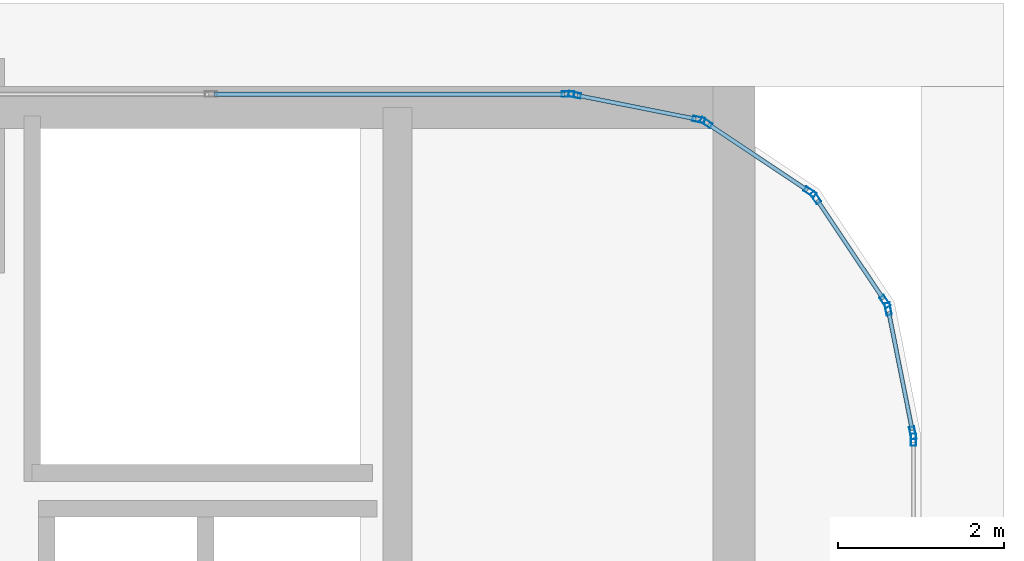
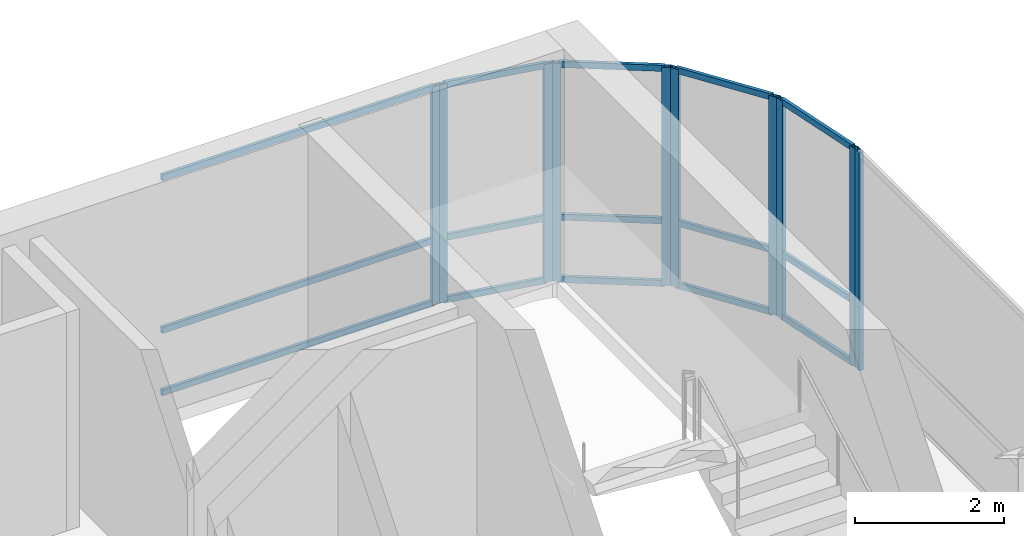
# One storey, part 26 of 35: 25 members, 6 elements without a shape of their own.
"""IFC4 building model written with IfcOpenShell, lengths in metres."""

from ifc_helpers import new_model, si_unit, direction, frame, origin, origin_2d, place, context, subcontext, project, spatial, hollow_rectangle, extrude, source, transform, mapped, material, layer, layer_set, material_profile, profile_set, type_object, type_shapes, element, aggregate, save


model = new_model("IFC4")

# Units and contexts
model_context = context("Model", 3, precision=1e-05, world=origin(), true_north=direction((0.0, 1.0)))
body_context = subcontext(model_context, "Body", "Model", "MODEL_VIEW")
ifc_project = project(units=[si_unit("LENGTHUNIT", "METRE"), si_unit("AREAUNIT", "SQUARE_METRE"), si_unit("VOLUMEUNIT", "CUBIC_METRE"), si_unit("PLANEANGLEUNIT", "RADIAN"), si_unit("MASSUNIT", "GRAM", prefix="KILO")], contexts=[model_context])

# Site, building, storey
site_placement = place(None, origin())
site = spatial("IfcSite", under=ifc_project, at=site_placement, CompositionType="ELEMENT")
building_placement = place(site_placement, origin())
building = spatial("IfcBuilding", under=site, at=building_placement, Name="Tolvann Quenvar Hotel", CompositionType="ELEMENT")
storey_placement = place(building_placement, frame((0.0, 0.0, 290.949951171875)))
storey = spatial("IfcBuildingStorey", under=building, at=storey_placement, Name="L77", CompositionType="ELEMENT", Elevation=290.949951171875)

# Curtain wall, member
ifc_material_1 = material(Name="Thermally broken anodised architectural aluminium 6063-T6 and laminated low-E glass", Category="aluminium")
ifc_layer = layer(ifc_material_1, 0.179931640625)
ifc_layer_set = layer_set([ifc_layer], Name="Thermally broken anodised architectural aluminium 6063-T6 and laminated low-E glass")
curtain_wall_type = type_object("IfcCurtainWallType", Name="CW_SYS_LANT_06", PredefinedType="USERDEFINED", material=ifc_layer_set)
curtain_wall_1_placement = place(storey_placement, origin())
curtain_wall_1 = element("IfcCurtainWall", 1, at=curtain_wall_1_placement, inside=storey, type_object=curtain_wall_type, Name="Curtain Wall CW-LANT-06 (CWR-L77-E09)", ObjectType="UNITISED CURTAIN WALL", PredefinedType="USERDEFINED")
ifc_material_2 = material(Name="Anodised architectural aluminium 6063-T6 framing", Category="aluminium")
ifc_material_profile_1 = material_profile(ifc_material_2, hollow_rectangle(XDim=0.06494140625, YDim=0.14990234375, WallThickness=0.00390625, at=origin_2d()), Name="150x65x4RHS")
ifc_profile_set_1 = profile_set([ifc_material_profile_1], Name="Anodised architectural aluminium 6063-T6 framing")
member_type_1 = type_object("IfcMemberType", Name="CW_MULL_150x65", PredefinedType="MULLION", material=ifc_profile_set_1)
shared_shape_1 = source(origin(), body_context, "Body", "SweptSolid", [
    extrude(hollow_rectangle(XDim=0.06494140625, YDim=0.14990234375, WallThickness=0.00390625, at=origin_2d()), origin(), (0.0, 0.0, 1.0), 3.580078125),
])
type_shapes(member_type_1, [shared_shape_1])
member_1_placement = place(storey_placement, frame((37.909912109375, 39.9501953125, 0.0), z_axis=(0.0, 0.0, 1.0), x_axis=(-1.0, 0.0, 0.0)))
member_1 = element("IfcMember", 2, at=member_1_placement, type_object=member_type_1, Name="CW-LANT-06 mullion 7", PredefinedType="MULLION", context=body_context, shape_type="MappedRepresentation", body=[
    mapped(shared_shape_1, transform((0.0, 0.0, 0.0), x_axis=(1.0, 0.0, 0.0), y_axis=(0.0, 1.0, 0.0), z_axis=(0.0, 0.0, 1.0), scale=1.0)),
])
aggregate(curtain_wall_1, [member_1])

# Curtain wall, members
curtain_wall_2_placement = place(storey_placement, origin())
curtain_wall_2 = element("IfcCurtainWall", 3, at=curtain_wall_2_placement, inside=storey, type_object=curtain_wall_type, Name="Curtain Wall CW-LANT-06 (CWR-L77-E10)", ObjectType="UNITISED CURTAIN WALL", PredefinedType="USERDEFINED")
member_2_placement = place(storey_placement, frame((37.902099609375, 40.03125, 0.0), z_axis=(0.0, 0.0, 1.0), x_axis=(-0.980790999222, -0.195061569369, 0.0)))
member_2 = element("IfcMember", 4, at=member_2_placement, type_object=member_type_1, Name="CW-LANT-06 mullion 1", PredefinedType="MULLION", context=body_context, shape_type="MappedRepresentation", body=[
    mapped(shared_shape_1, transform((0.0, 0.0, 0.0), x_axis=(1.0, 0.0, 0.0), y_axis=(0.0, 1.0, 0.0), z_axis=(0.0, 0.0, 1.0), scale=1.0)),
])
member_3_placement = place(storey_placement, frame((37.605224609375, 41.523681640625, 0.0), z_axis=(0.0, 0.0, 1.0), x_axis=(-0.980790999222, -0.195061569369, 0.0)))
member_3 = element("IfcMember", 5, at=member_3_placement, type_object=member_type_1, Name="CW-LANT-06 mullion 2", PredefinedType="MULLION", context=body_context, shape_type="MappedRepresentation", body=[
    mapped(shared_shape_1, transform((0.0, 0.0, 0.0), x_axis=(1.0, 0.0, 0.0), y_axis=(0.0, 1.0, 0.0), z_axis=(0.0, 0.0, 1.0), scale=1.0)),
])

curtain_wall_3_placement = place(storey_placement, origin())
curtain_wall_3 = element("IfcCurtainWall", 6, at=curtain_wall_3_placement, inside=storey, type_object=curtain_wall_type, Name="Curtain Wall CW-LANT-06 (CWR-L77-E11)", ObjectType="UNITISED CURTAIN WALL", PredefinedType="USERDEFINED")
member_4_placement = place(storey_placement, frame((37.568115234375, 41.61328125, 0.0), z_axis=(0.0, 0.0, 1.0), x_axis=(-0.831412452193, -0.555655769644, 0.0)))
member_4 = element("IfcMember", 7, at=member_4_placement, type_object=member_type_1, Name="CW-LANT-06 mullion 1", PredefinedType="MULLION", context=body_context, shape_type="MappedRepresentation", body=[
    mapped(shared_shape_1, transform((0.0, 0.0, 0.0), x_axis=(1.0, 0.0, 0.0), y_axis=(0.0, 1.0, 0.0), z_axis=(0.0, 0.0, 1.0), scale=1.0)),
])
member_5_placement = place(storey_placement, frame((36.732421875, 42.86376953125, 0.0), z_axis=(0.0, 0.0, 1.0), x_axis=(-0.831412452193, -0.555655769644, 0.0)))
member_5 = element("IfcMember", 8, at=member_5_placement, type_object=member_type_1, Name="CW-LANT-06 mullion 2", PredefinedType="MULLION", context=body_context, shape_type="MappedRepresentation", body=[
    mapped(shared_shape_1, transform((0.0, 0.0, 0.0), x_axis=(1.0, 0.0, 0.0), y_axis=(0.0, 1.0, 0.0), z_axis=(0.0, 0.0, 1.0), scale=1.0)),
])

curtain_wall_4_placement = place(storey_placement, origin())
curtain_wall_4 = element("IfcCurtainWall", 9, at=curtain_wall_4_placement, inside=storey, type_object=curtain_wall_type, Name="Curtain Wall CW-LANT-06 (CWR-L77-E12)", ObjectType="UNITISED CURTAIN WALL", PredefinedType="USERDEFINED")
member_6_placement = place(storey_placement, frame((36.663818359375, 42.932373046875, 0.0), z_axis=(0.0, 0.0, 1.0), x_axis=(-0.555655769644, -0.831412452193, 0.0)))
member_6 = element("IfcMember", 10, at=member_6_placement, type_object=member_type_1, Name="CW-LANT-06 mullion 1", PredefinedType="MULLION", context=body_context, shape_type="MappedRepresentation", body=[
    mapped(shared_shape_1, transform((0.0, 0.0, 0.0), x_axis=(1.0, 0.0, 0.0), y_axis=(0.0, 1.0, 0.0), z_axis=(0.0, 0.0, 1.0), scale=1.0)),
])
member_7_placement = place(storey_placement, frame((35.413330078125, 43.76806640625, 0.0), z_axis=(0.0, 0.0, 1.0), x_axis=(-0.555655769644, -0.831412452193, 0.0)))
member_7 = element("IfcMember", 11, at=member_7_placement, type_object=member_type_1, Name="CW-LANT-06 mullion 2", PredefinedType="MULLION", context=body_context, shape_type="MappedRepresentation", body=[
    mapped(shared_shape_1, transform((0.0, 0.0, 0.0), x_axis=(1.0, 0.0, 0.0), y_axis=(0.0, 1.0, 0.0), z_axis=(0.0, 0.0, 1.0), scale=1.0)),
])

curtain_wall_5_placement = place(storey_placement, origin())
curtain_wall_5 = element("IfcCurtainWall", 12, at=curtain_wall_5_placement, inside=storey, type_object=curtain_wall_type, Name="Curtain Wall CW-LANT-06 (CWR-L77-E13)", ObjectType="UNITISED CURTAIN WALL", PredefinedType="USERDEFINED")
member_8_placement = place(storey_placement, frame((35.32373046875, 43.80517578125, 0.0), z_axis=(0.0, 0.0, 1.0), x_axis=(-0.195061569369, -0.980790999222, 0.0)))
member_8 = element("IfcMember", 13, at=member_8_placement, type_object=member_type_1, Name="CW-LANT-06 mullion 1", PredefinedType="MULLION", context=body_context, shape_type="MappedRepresentation", body=[
    mapped(shared_shape_1, transform((0.0, 0.0, 0.0), x_axis=(1.0, 0.0, 0.0), y_axis=(0.0, 1.0, 0.0), z_axis=(0.0, 0.0, 1.0), scale=1.0)),
])
member_9_placement = place(storey_placement, frame((33.831298828125, 44.10205078125, 0.0), z_axis=(0.0, 0.0, 1.0), x_axis=(-0.195061569369, -0.980790999222, 0.0)))
member_9 = element("IfcMember", 14, at=member_9_placement, type_object=member_type_1, Name="CW-LANT-06 mullion 2", PredefinedType="MULLION", context=body_context, shape_type="MappedRepresentation", body=[
    mapped(shared_shape_1, transform((0.0, 0.0, 0.0), x_axis=(1.0, 0.0, 0.0), y_axis=(0.0, 1.0, 0.0), z_axis=(0.0, 0.0, 1.0), scale=1.0)),
])

# Curtain wall, member
curtain_wall_6_placement = place(storey_placement, origin())
curtain_wall_6 = element("IfcCurtainWall", 15, at=curtain_wall_6_placement, inside=storey, type_object=curtain_wall_type, Name="Curtain Wall CW-LANT-06 (CWR-L77-E14)", ObjectType="UNITISED CURTAIN WALL", PredefinedType="USERDEFINED")
member_10_placement = place(storey_placement, frame((33.750244140625, 44.110107421875, 0.0), z_axis=(0.0, 0.0, 1.0), x_axis=(0.0, -1.0, 0.0)))
member_10 = element("IfcMember", 16, at=member_10_placement, type_object=member_type_1, Name="CW-LANT-06 mullion 1", PredefinedType="MULLION", context=body_context, shape_type="MappedRepresentation", body=[
    mapped(shared_shape_1, transform((0.0, 0.0, 0.0), x_axis=(1.0, 0.0, 0.0), y_axis=(0.0, 1.0, 0.0), z_axis=(0.0, 0.0, 1.0), scale=1.0)),
])

# Member
ifc_material_profile_2 = material_profile(ifc_material_2, hollow_rectangle(XDim=0.050048828125, YDim=0.10009765625, WallThickness=0.0029296875, at=origin_2d()), Name="100x50x3RHS")
ifc_profile_set_2 = profile_set([ifc_material_profile_2], Name="Anodised architectural aluminium 6063-T6 framing")
member_type_2 = type_object("IfcMemberType", Name="CW_TRAN_100x50", PredefinedType="USERDEFINED", material=ifc_profile_set_2)
shared_shape_2 = source(origin(), body_context, "Body", "SweptSolid", [
    extrude(hollow_rectangle(XDim=0.050048828125, YDim=0.10009765625, WallThickness=0.0029296875, at=origin_2d()), origin(), (0.0, 0.0, 1.0), 1.439208984375),
])
member_11_placement = place(storey_placement, frame((37.550048828125, 41.64013671875, 0.025146484375), z_axis=(-0.555600315839, 0.831449510818, 0.0), x_axis=(-0.831449510818, -0.555600315839, 0.0)))
member_11 = element("IfcMember", 17, at=member_11_placement, type_object=member_type_2, Name="CW-LANT-06 transom 1.1", ObjectType="TRANSOM", PredefinedType="USERDEFINED", context=body_context, shape_type="MappedRepresentation", body=[
    mapped(shared_shape_2, transform((0.0, 0.0, 0.0), x_axis=(1.0, 0.0, 0.0), y_axis=(0.0, 1.0, 0.0), z_axis=(0.0, 0.0, 1.0), scale=1.0)),
])

member_12_placement = place(storey_placement, frame((37.550048828125, 41.64013671875, 1.050048828125), z_axis=(-0.555600315839, 0.831449510818, 0.0), x_axis=(-0.831449510818, -0.555600315839, 0.0)))
member_12 = element("IfcMember", 18, at=member_12_placement, type_object=member_type_2, Name="CW-LANT-06 transom 1.2", ObjectType="TRANSOM", PredefinedType="USERDEFINED", context=body_context, shape_type="MappedRepresentation", body=[
    mapped(shared_shape_2, transform((0.0, 0.0, 0.0), x_axis=(1.0, 0.0, 0.0), y_axis=(0.0, 1.0, 0.0), z_axis=(0.0, 0.0, 1.0), scale=1.0)),
])

member_13_placement = place(storey_placement, frame((37.550048828125, 41.64013671875, 3.554931640625), z_axis=(-0.555600315839, 0.831449510818, 0.0), x_axis=(-0.831449510818, -0.555600315839, 0.0)))
member_13 = element("IfcMember", 19, at=member_13_placement, type_object=member_type_2, Name="CW-LANT-06 transom 1.3", ObjectType="TRANSOM", PredefinedType="USERDEFINED", context=body_context, shape_type="MappedRepresentation", body=[
    mapped(shared_shape_2, transform((0.0, 0.0, 0.0), x_axis=(1.0, 0.0, 0.0), y_axis=(0.0, 1.0, 0.0), z_axis=(0.0, 0.0, 1.0), scale=1.0)),
])

aggregate(curtain_wall_3, [member_4, member_5, member_11, member_12, member_13])

member_14_placement = place(storey_placement, frame((36.63671875, 42.950439453125, 0.025146484375), z_axis=(-0.831449510818, 0.555600315839, 0.0), x_axis=(-0.555600315839, -0.831449510818, 0.0)))
member_14 = element("IfcMember", 20, at=member_14_placement, type_object=member_type_2, Name="CW-LANT-06 transom 1.1", ObjectType="TRANSOM", PredefinedType="USERDEFINED", context=body_context, shape_type="MappedRepresentation", body=[
    mapped(shared_shape_2, transform((0.0, 0.0, 0.0), x_axis=(1.0, 0.0, 0.0), y_axis=(0.0, 1.0, 0.0), z_axis=(0.0, 0.0, 1.0), scale=1.0)),
])

member_15_placement = place(storey_placement, frame((36.63671875, 42.950439453125, 1.050048828125), z_axis=(-0.831449510818, 0.555600315839, 0.0), x_axis=(-0.555600315839, -0.831449510818, 0.0)))
member_15 = element("IfcMember", 21, at=member_15_placement, type_object=member_type_2, Name="CW-LANT-06 transom 1.2", ObjectType="TRANSOM", PredefinedType="USERDEFINED", context=body_context, shape_type="MappedRepresentation", body=[
    mapped(shared_shape_2, transform((0.0, 0.0, 0.0), x_axis=(1.0, 0.0, 0.0), y_axis=(0.0, 1.0, 0.0), z_axis=(0.0, 0.0, 1.0), scale=1.0)),
])

member_16_placement = place(storey_placement, frame((36.63671875, 42.950439453125, 3.554931640625), z_axis=(-0.831449510818, 0.555600315839, 0.0), x_axis=(-0.555600315839, -0.831449510818, 0.0)))
member_16 = element("IfcMember", 22, at=member_16_placement, type_object=member_type_2, Name="CW-LANT-06 transom 1.3", ObjectType="TRANSOM", PredefinedType="USERDEFINED", context=body_context, shape_type="MappedRepresentation", body=[
    mapped(shared_shape_2, transform((0.0, 0.0, 0.0), x_axis=(1.0, 0.0, 0.0), y_axis=(0.0, 1.0, 0.0), z_axis=(0.0, 0.0, 1.0), scale=1.0)),
])

aggregate(curtain_wall_4, [member_6, member_7, member_14, member_15, member_16])

shared_shape_3 = source(origin(), body_context, "Body", "SweptSolid", [
    extrude(hollow_rectangle(XDim=0.050048828125, YDim=0.10009765625, WallThickness=0.0029296875, at=origin_2d()), origin(), (0.0, 0.0, 1.0), 1.456787109375),
])
member_17_placement = place(storey_placement, frame((37.895751953125, 40.063232421875, 0.025146484375), z_axis=(-0.195084651288, 0.980786408364, 0.0), x_axis=(-0.980786408364, -0.195084651288, 0.0)))
member_17 = element("IfcMember", 23, at=member_17_placement, type_object=member_type_2, Name="CW-LANT-06 transom 1.1", ObjectType="TRANSOM", PredefinedType="USERDEFINED", context=body_context, shape_type="MappedRepresentation", body=[
    mapped(shared_shape_3, transform((0.0, 0.0, 0.0), x_axis=(1.0, 0.0, 0.0), y_axis=(0.0, 1.0, 0.0), z_axis=(0.0, 0.0, 1.0), scale=1.0)),
])

member_18_placement = place(storey_placement, frame((37.895751953125, 40.063232421875, 1.050048828125), z_axis=(-0.195084651288, 0.980786408364, 0.0), x_axis=(-0.980786408364, -0.195084651288, 0.0)))
member_18 = element("IfcMember", 24, at=member_18_placement, type_object=member_type_2, Name="CW-LANT-06 transom 1.2", ObjectType="TRANSOM", PredefinedType="USERDEFINED", context=body_context, shape_type="MappedRepresentation", body=[
    mapped(shared_shape_3, transform((0.0, 0.0, 0.0), x_axis=(1.0, 0.0, 0.0), y_axis=(0.0, 1.0, 0.0), z_axis=(0.0, 0.0, 1.0), scale=1.0)),
])

member_19_placement = place(storey_placement, frame((37.895751953125, 40.063232421875, 3.554931640625), z_axis=(-0.195084651288, 0.980786408364, 0.0), x_axis=(-0.980786408364, -0.195084651288, 0.0)))
member_19 = element("IfcMember", 25, at=member_19_placement, type_object=member_type_2, Name="CW-LANT-06 transom 1.3", ObjectType="TRANSOM", PredefinedType="USERDEFINED", context=body_context, shape_type="MappedRepresentation", body=[
    mapped(shared_shape_3, transform((0.0, 0.0, 0.0), x_axis=(1.0, 0.0, 0.0), y_axis=(0.0, 1.0, 0.0), z_axis=(0.0, 0.0, 1.0), scale=1.0)),
])

aggregate(curtain_wall_2, [member_2, member_3, member_17, member_18, member_19])

member_20_placement = place(storey_placement, frame((35.291748046875, 43.8115234375, 0.025146484375), z_axis=(-0.980786408364, 0.195084651288, 0.0), x_axis=(-0.195084651288, -0.980786408364, 0.0)))
member_20 = element("IfcMember", 26, at=member_20_placement, type_object=member_type_2, Name="CW-LANT-06 transom 1.1", ObjectType="TRANSOM", PredefinedType="USERDEFINED", context=body_context, shape_type="MappedRepresentation", body=[
    mapped(shared_shape_3, transform((0.0, 0.0, 0.0), x_axis=(1.0, 0.0, 0.0), y_axis=(0.0, 1.0, 0.0), z_axis=(0.0, 0.0, 1.0), scale=1.0)),
])

member_21_placement = place(storey_placement, frame((35.291748046875, 43.8115234375, 1.050048828125), z_axis=(-0.980786408364, 0.195084651288, 0.0), x_axis=(-0.195084651288, -0.980786408364, 0.0)))
member_21 = element("IfcMember", 27, at=member_21_placement, type_object=member_type_2, Name="CW-LANT-06 transom 1.2", ObjectType="TRANSOM", PredefinedType="USERDEFINED", context=body_context, shape_type="MappedRepresentation", body=[
    mapped(shared_shape_3, transform((0.0, 0.0, 0.0), x_axis=(1.0, 0.0, 0.0), y_axis=(0.0, 1.0, 0.0), z_axis=(0.0, 0.0, 1.0), scale=1.0)),
])

member_22_placement = place(storey_placement, frame((35.291748046875, 43.8115234375, 3.554931640625), z_axis=(-0.980786408364, 0.195084651288, 0.0), x_axis=(-0.195084651288, -0.980786408364, 0.0)))
member_22 = element("IfcMember", 28, at=member_22_placement, type_object=member_type_2, Name="CW-LANT-06 transom 1.3", ObjectType="TRANSOM", PredefinedType="USERDEFINED", context=body_context, shape_type="MappedRepresentation", body=[
    mapped(shared_shape_3, transform((0.0, 0.0, 0.0), x_axis=(1.0, 0.0, 0.0), y_axis=(0.0, 1.0, 0.0), z_axis=(0.0, 0.0, 1.0), scale=1.0)),
])

aggregate(curtain_wall_5, [member_8, member_9, member_20, member_21, member_22])

shared_shape_4 = source(origin(), body_context, "Body", "SweptSolid", [
    extrude(hollow_rectangle(XDim=0.050048828125, YDim=0.10009765625, WallThickness=0.0029296875, at=origin_2d()), origin(), (0.0, 0.0, 1.0), 4.22998046875),
])
type_shapes(member_type_2, [shared_shape_2, shared_shape_3, shared_shape_4])
member_23_placement = place(storey_placement, frame((33.7177734375, 44.110107421875, 0.025146484375), z_axis=(-1.0, 0.0, 0.0), x_axis=(0.0, -1.0, 0.0)))
member_23 = element("IfcMember", 29, at=member_23_placement, type_object=member_type_2, Name="CW-LANT-06 transom 1.1", ObjectType="TRANSOM", PredefinedType="USERDEFINED", context=body_context, shape_type="MappedRepresentation", body=[
    mapped(shared_shape_4, transform((0.0, 0.0, 0.0), x_axis=(1.0, 0.0, 0.0), y_axis=(0.0, 1.0, 0.0), z_axis=(0.0, 0.0, 1.0), scale=1.0)),
])

member_24_placement = place(storey_placement, frame((33.7177734375, 44.110107421875, 1.050048828125), z_axis=(-1.0, 0.0, 0.0), x_axis=(0.0, -1.0, 0.0)))
member_24 = element("IfcMember", 30, at=member_24_placement, type_object=member_type_2, Name="CW-LANT-06 transom 1.2", ObjectType="TRANSOM", PredefinedType="USERDEFINED", context=body_context, shape_type="MappedRepresentation", body=[
    mapped(shared_shape_4, transform((0.0, 0.0, 0.0), x_axis=(1.0, 0.0, 0.0), y_axis=(0.0, 1.0, 0.0), z_axis=(0.0, 0.0, 1.0), scale=1.0)),
])

member_25_placement = place(storey_placement, frame((33.7177734375, 44.110107421875, 3.554931640625), z_axis=(-1.0, 0.0, 0.0), x_axis=(0.0, -1.0, 0.0)))
member_25 = element("IfcMember", 31, at=member_25_placement, type_object=member_type_2, Name="CW-LANT-06 transom 1.3", ObjectType="TRANSOM", PredefinedType="USERDEFINED", context=body_context, shape_type="MappedRepresentation", body=[
    mapped(shared_shape_4, transform((0.0, 0.0, 0.0), x_axis=(1.0, 0.0, 0.0), y_axis=(0.0, 1.0, 0.0), z_axis=(0.0, 0.0, 1.0), scale=1.0)),
])

aggregate(curtain_wall_6, [member_10, member_23, member_24, member_25])

save(model, "model.ifc")
